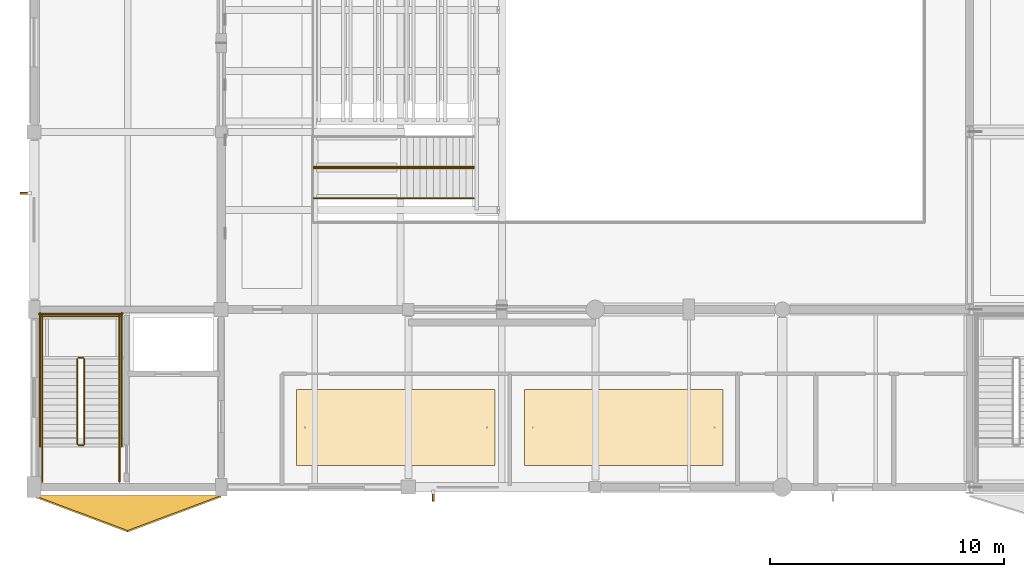
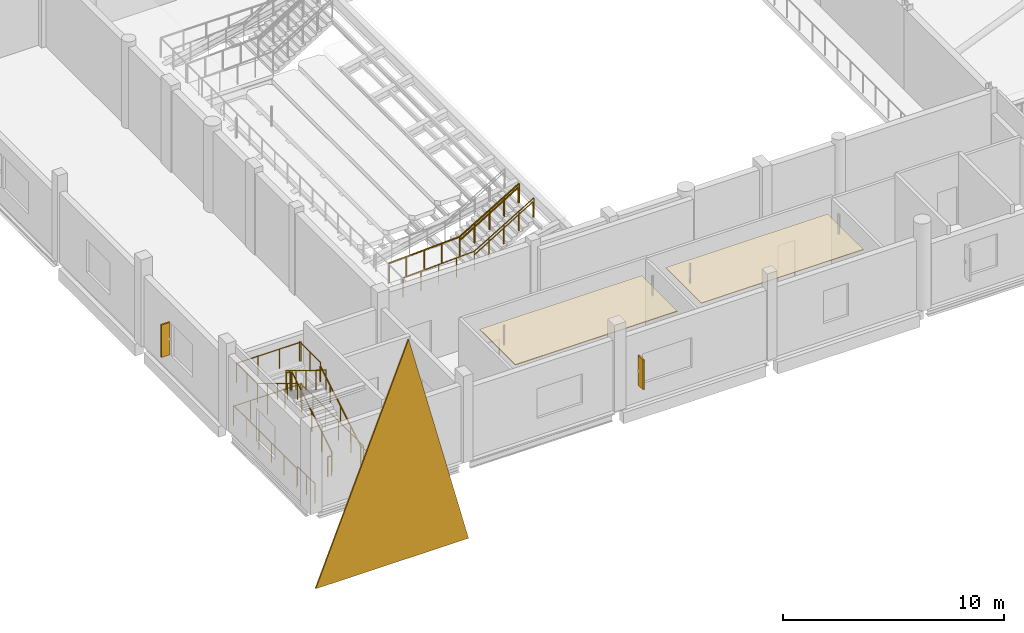
# One storey, part 127 of 147: 20 railings, 3 coverings, 2 shading devices.
"""IFC4 building model written with IfcOpenShell, lengths in metres."""

from ifc_helpers import new_model, si_unit, direction, frame, origin, origin_2d, place, context, subcontext, project, spatial, polyline, rectangle, circle, outline, extrude, material, layer, layer_set, type_object, element, save


model = new_model("IFC4")

# Units and contexts
model_context = context("Model", 3, precision=1e-05, world=origin(), true_north=direction((0.0, 1.0)))
body_context = subcontext(model_context, "Body", "Model", "MODEL_VIEW")
ifc_project = project(units=[si_unit("LENGTHUNIT", "METRE"), si_unit("AREAUNIT", "SQUARE_METRE"), si_unit("VOLUMEUNIT", "CUBIC_METRE"), si_unit("PLANEANGLEUNIT", "RADIAN"), si_unit("MASSUNIT", "GRAM", prefix="KILO")], contexts=[model_context])

# Site, building, storey
site_placement = place(None, origin())
site = spatial("IfcSite", under=ifc_project, at=site_placement, CompositionType="ELEMENT")
building_placement = place(site_placement, origin())
building = spatial("IfcBuilding", under=site, at=building_placement, Name="Khelvaren Railside Concert Hall", CompositionType="ELEMENT")
storey_placement = place(building_placement, frame((0.0, 0.0, 5.39990234375)))
storey = spatial("IfcBuildingStorey", under=building, at=storey_placement, Name="L01", CompositionType="ELEMENT", Elevation=5.39990234375)

# Coverings
ifc_material_1 = material(Name="Board-marked precast concrete C45/55", Category="concrete")
ifc_layer_1 = layer(ifc_material_1, 0.070068359375)
ifc_layer_set_1 = layer_set([ifc_layer_1], Name="Board-marked precast concrete C45/55")
covering_type_1 = type_object("IfcCoveringType", Name="CLD68", PredefinedType="CLADDING", material=ifc_layer_set_1)
covering_1_placement = place(storey_placement, frame((0.0, -0.35498046875, -4.199951171875), z_axis=(0.0, 0.993751900804, 0.111611646564), x_axis=(1.0, 0.0, 0.0)))
element("IfcCovering", 1, at=covering_1_placement, inside=storey, type_object=covering_type_1, Name="Main Hall Cut-Crystal Lower Facet S-1", PredefinedType="CLADDING", context=body_context, shape_type="SweptSolid", body=[
    extrude(outline(polyline([(0.0, 0.0), (8.0, 0.0), (4.0, -13.395709440134004), (0.0, 0.0)])), origin(), (0.0, 0.0, -1.0), 0.070068359375),
])
ifc_material_2 = material(Name="Mineral-wool acoustic baffle ceiling", Category="gypsum")
ifc_layer_2 = layer(ifc_material_2, 0.0400390625)
ifc_layer_set_2 = layer_set([ifc_layer_2], Name="Mineral-wool acoustic baffle ceiling")
covering_type_2 = type_object("IfcCoveringType", Name="CLG20", PredefinedType="CEILING", material=ifc_layer_set_2)
covering_2_placement = place(storey_placement, frame((0.0, 0.0, 3.41015625)))
element("IfcCovering", 2, at=covering_2_placement, inside=storey, type_object=covering_type_2, Name="Suspended Acoustic Ceiling First Balcony Champagne Lounge", PredefinedType="CEILING", context=body_context, shape_type="SweptSolid", body=[
    extrude(outline(polyline([(11.22998046875, 0.929931640625), (19.7119140625, 0.929931640625), (19.7119140625, 4.169921875), (11.22998046875, 4.169921875), (11.22998046875, 0.929931640625)])), origin(), (0.0, 0.0, 1.0), 0.0400390625),
])
ifc_material_3 = material(Name="Micro-perforated timber acoustic ceiling", Category="wood")
ifc_layer_3 = layer(ifc_material_3, 0.030029296875)
ifc_layer_set_3 = layer_set([ifc_layer_3], Name="Micro-perforated timber acoustic ceiling")
covering_type_3 = type_object("IfcCoveringType", Name="CLG77", PredefinedType="CEILING", material=ifc_layer_set_3)
covering_3_placement = place(storey_placement, frame((0.0, 0.0, 3.420166015625)))
element("IfcCovering", 3, at=covering_3_placement, inside=storey, type_object=covering_type_3, Name="Suspended Acoustic Ceiling Donor Reception Salon", PredefinedType="CEILING", context=body_context, shape_type="SweptSolid", body=[
    extrude(outline(polyline([(20.971923828125, 0.929931640625), (29.4541015625, 0.929931640625), (29.4541015625, 4.169921875), (20.971923828125, 4.169921875), (20.971923828125, 0.929931640625)])), origin(), (0.0, 0.0, 1.0), 0.030029296875),
])

# Railings
ifc_material_4 = material(Name="Painted architectural steel", Category="steel")
railing_type_1 = type_object("IfcRailingType", Name="GRD86", PredefinedType="GUARDRAIL", material=ifc_material_4)
railing_1_placement = place(storey_placement, frame((2.14990234375, 1.840087890625, 0.171630859375)))
element("IfcRailing", 4, at=railing_1_placement, inside=storey, type_object=railing_type_1, Name="L01 ST-01 stair guard 1", PredefinedType="GUARDRAIL", context=body_context, shape_type="SweptSolid", body=[
    extrude(circle(Radius=0.02392578125, at=origin_2d()), frame((0.0, 0.0, 1.076171875), z_axis=(0.0, 0.852850264322, 0.5221555579), x_axis=(-1.0, 0.0, 0.0)), (0.0, 0.0, 1.0), 4.267822265625),
    extrude(circle(Radius=0.02099609375, at=origin_2d()), origin(), (0.0, 0.0, 1.0), 1.052001953125),
    extrude(circle(Radius=0.02099609375, at=origin_2d()), frame((0.0, 0.909912109375, 0.55712890625)), (0.0, 0.0, 1.0), 1.052001953125),
    extrude(circle(Radius=0.02099609375, at=origin_2d()), frame((0.0, 1.81982421875, 1.1142578125)), (0.0, 0.0, 1.0), 1.052001953125),
    extrude(circle(Radius=0.02099609375, at=origin_2d()), frame((0.0, 2.72998046875, 1.67138671875)), (0.0, 0.0, 1.0), 1.052001953125),
    extrude(circle(Radius=0.02099609375, at=origin_2d()), frame((0.0, 3.639892578125, 2.228515625)), (0.0, 0.0, 1.0), 1.052001953125),
])
railing_2_placement = place(storey_placement, frame((2.10009765625, 5.530029296875, 2.400146484375)))
element("IfcRailing", 5, at=railing_2_placement, inside=storey, type_object=railing_type_1, Name="L01 ST-01 stair guard 2", PredefinedType="GUARDRAIL", context=body_context, shape_type="SweptSolid", body=[
    extrude(circle(Radius=0.02392578125, at=origin_2d()), frame((0.0, 0.0, 1.076171875), z_axis=(-1.0, 0.0, 0.0), x_axis=(0.0, -1.0, 0.0)), (0.0, 0.0, 1.0), 0.2001953125),
    extrude(circle(Radius=0.02099609375, at=origin_2d()), origin(), (0.0, 0.0, 1.0), 1.052001953125),
    extrude(circle(Radius=0.02099609375, at=origin_2d()), frame((-0.2001953125, 0.0, 0.0)), (0.0, 0.0, 1.0), 1.052001953125),
])
for number, where, name in (
    (6, (3.64990234375, 5.47998046875, 2.400146484375), "L01 ST-01 stair guard 3"),
    (7, (0.35009765625, 5.47998046875, 2.400146484375), "L01 ST-01 stair guard 4"),
):
    element("IfcRailing", number, at=place(storey_placement, frame(where)), inside=storey, type_object=railing_type_1, Name=name, PredefinedType="GUARDRAIL", context=body_context, shape_type="SweptSolid", body=[
        extrude(circle(Radius=0.02392578125, at=origin_2d()), frame((0.0, 0.0, 1.076171875), z_axis=(0.0, 1.0, 0.0), x_axis=(-1.0, 0.0, 0.0)), (0.0, 0.0, 1.0), 1.880126953125),
        extrude(circle(Radius=0.02099609375, at=origin_2d()), origin(), (0.0, 0.0, 1.0), 1.052001953125),
        extrude(circle(Radius=0.02099609375, at=origin_2d()), frame((0.0, 0.93994140625, 0.0)), (0.0, 0.0, 1.0), 1.052001953125),
        extrude(circle(Radius=0.02099609375, at=origin_2d()), frame((0.0, 1.880126953125, 0.0)), (0.0, 0.0, 1.0), 1.052001953125),
    ])
railing_3_placement = place(storey_placement, frame((3.699951171875, 7.31005859375, 2.400146484375)))
element("IfcRailing", 8, at=railing_3_placement, inside=storey, type_object=railing_type_1, Name="L01 ST-01 stair guard 5", PredefinedType="GUARDRAIL", context=body_context, shape_type="SweptSolid", body=[
    extrude(circle(Radius=0.02392578125, at=origin_2d()), frame((0.0, 0.0, 1.076171875), z_axis=(-1.0, 0.0, 0.0), x_axis=(0.0, -1.0, 0.0)), (0.0, 0.0, 1.0), 3.39990234375),
    extrude(circle(Radius=0.02099609375, at=origin_2d()), origin(), (0.0, 0.0, 1.0), 1.052001953125),
    extrude(circle(Radius=0.02099609375, at=origin_2d()), frame((-1.13330078125, 0.0, 0.0)), (0.0, 0.0, 1.0), 1.052001953125),
    extrude(circle(Radius=0.02099609375, at=origin_2d()), frame((-2.2666015625, 0.0, 0.0)), (0.0, 0.0, 1.0), 1.052001953125),
    extrude(circle(Radius=0.02099609375, at=origin_2d()), frame((-3.39990234375, 0.0, 0.0)), (0.0, 0.0, 1.0), 1.052001953125),
])
railing_4_placement = place(storey_placement, frame((1.85009765625, 5.47998046875, 2.571533203125)))
element("IfcRailing", 9, at=railing_4_placement, inside=storey, type_object=railing_type_1, Name="L01 ST-01 stair guard 6", PredefinedType="GUARDRAIL", context=body_context, shape_type="SweptSolid", body=[
    extrude(circle(Radius=0.02392578125, at=origin_2d()), frame((0.0, 0.0, 1.076171875), z_axis=(0.0, -0.852850264322, 0.5221555579), x_axis=(1.0, 0.0, 0.0)), (0.0, 0.0, 1.0), 4.267822265625),
    extrude(circle(Radius=0.02099609375, at=origin_2d()), origin(), (0.0, 0.0, 1.0), 1.052001953125),
    extrude(circle(Radius=0.02099609375, at=origin_2d()), frame((0.0, -0.909912109375, 0.55712890625)), (0.0, 0.0, 1.0), 1.052001953125),
    extrude(circle(Radius=0.02099609375, at=origin_2d()), frame((0.0, -1.81982421875, 1.1142578125)), (0.0, 0.0, 1.0), 1.052001953125),
    extrude(circle(Radius=0.02099609375, at=origin_2d()), frame((0.0, -2.72998046875, 1.67138671875)), (0.0, 0.0, 1.0), 1.052001953125),
    extrude(circle(Radius=0.02099609375, at=origin_2d()), frame((0.0, -3.639892578125, 2.228515625)), (0.0, 0.0, 1.0), 1.052001953125),
])
railing_5_placement = place(storey_placement, frame((2.10009765625, 1.7900390625, 0.0)))
element("IfcRailing", 10, at=railing_5_placement, inside=storey, type_object=railing_type_1, Name="L01 ST-01 stair guard 7", PredefinedType="GUARDRAIL", context=body_context, shape_type="SweptSolid", body=[
    extrude(circle(Radius=0.02392578125, at=origin_2d()), frame((0.0, 0.0, 1.076171875), z_axis=(-1.0, 0.0, 0.0), x_axis=(0.0, -1.0, 0.0)), (0.0, 0.0, 1.0), 0.2001953125),
    extrude(circle(Radius=0.02099609375, at=origin_2d()), origin(), (0.0, 0.0, 1.0), 1.052001953125),
    extrude(circle(Radius=0.02099609375, at=origin_2d()), frame((-0.2001953125, 0.0, 0.0)), (0.0, 0.0, 1.0), 1.052001953125),
])
for number, where, name in (
    (11, (3.64990234375, 0.239990234375, 0.0), "L01 ST-01 stair guard 8"),
    (12, (0.35009765625, 0.239990234375, 0.0), "L01 ST-01 stair guard 9"),
):
    element("IfcRailing", number, at=place(storey_placement, frame(where)), inside=storey, type_object=railing_type_1, Name=name, PredefinedType="GUARDRAIL", context=body_context, shape_type="SweptSolid", body=[
        extrude(circle(Radius=0.02392578125, at=origin_2d()), frame((0.0, 0.0, 1.076171875), z_axis=(0.0, 1.0, 0.0), x_axis=(-1.0, 0.0, 0.0)), (0.0, 0.0, 1.0), 1.60009765625),
        extrude(circle(Radius=0.02099609375, at=origin_2d()), origin(), (0.0, 0.0, 1.0), 1.052001953125),
        extrude(circle(Radius=0.02099609375, at=origin_2d()), frame((0.0, 0.800048828125, 0.0)), (0.0, 0.0, 1.0), 1.052001953125),
        extrude(circle(Radius=0.02099609375, at=origin_2d()), frame((0.0, 1.60009765625, 0.0)), (0.0, 0.0, 1.0), 1.052001953125),
    ])
for number, where, name in (
    (13, (3.75, 1.739990234375, 0.0), "L01 ST-01 stair guard 10"),
    (14, (0.25, 1.739990234375, 0.0), "L01 ST-01 stair guard 11"),
):
    element("IfcRailing", number, at=place(storey_placement, frame(where)), inside=storey, type_object=railing_type_1, Name=name, PredefinedType="GUARDRAIL", context=body_context, shape_type="SweptSolid", body=[
        extrude(circle(Radius=0.02392578125, at=origin_2d()), frame((0.0, 0.0, 1.076171875), z_axis=(0.0, 1.0, 0.0), x_axis=(-1.0, 0.0, 0.0)), (0.0, 0.0, 1.0), 5.719970703125),
        extrude(circle(Radius=0.02099609375, at=origin_2d()), origin(), (0.0, 0.0, 1.0), 1.052001953125),
        extrude(circle(Radius=0.02099609375, at=origin_2d()), frame((0.0, 1.14404296875, 0.0)), (0.0, 0.0, 1.0), 1.052001953125),
        extrude(circle(Radius=0.02099609375, at=origin_2d()), frame((0.0, 2.2880859375, 0.0)), (0.0, 0.0, 1.0), 1.052001953125),
        extrude(circle(Radius=0.02099609375, at=origin_2d()), frame((0.0, 3.431884765625, 0.0)), (0.0, 0.0, 1.0), 1.052001953125),
        extrude(circle(Radius=0.02099609375, at=origin_2d()), frame((0.0, 4.575927734375, 0.0)), (0.0, 0.0, 1.0), 1.052001953125),
        extrude(circle(Radius=0.02099609375, at=origin_2d()), frame((0.0, 5.719970703125, 0.0)), (0.0, 0.0, 1.0), 1.052001953125),
    ])
railing_6_placement = place(storey_placement, frame((3.800048828125, 7.409912109375, 0.0)))
element("IfcRailing", 15, at=railing_6_placement, inside=storey, type_object=railing_type_1, Name="L01 ST-01 stair guard 12", PredefinedType="GUARDRAIL", context=body_context, shape_type="SweptSolid", body=[
    extrude(circle(Radius=0.02392578125, at=origin_2d()), frame((0.0, 0.0, 1.076171875), z_axis=(-1.0, 0.0, 0.0), x_axis=(0.0, -1.0, 0.0)), (0.0, 0.0, 1.0), 3.60009765625),
    extrude(circle(Radius=0.02099609375, at=origin_2d()), origin(), (0.0, 0.0, 1.0), 1.052001953125),
    extrude(circle(Radius=0.02099609375, at=origin_2d()), frame((-0.89990234375, 0.0, 0.0)), (0.0, 0.0, 1.0), 1.052001953125),
    extrude(circle(Radius=0.02099609375, at=origin_2d()), frame((-1.800048828125, 0.0, 0.0)), (0.0, 0.0, 1.0), 1.052001953125),
    extrude(circle(Radius=0.02099609375, at=origin_2d()), frame((-2.7001953125, 0.0, 0.0)), (0.0, 0.0, 1.0), 1.052001953125),
    extrude(circle(Radius=0.02099609375, at=origin_2d()), frame((-3.60009765625, 0.0, 0.0)), (0.0, 0.0, 1.0), 1.052001953125),
])
for number, where, name in (
    (16, (11.949951171875, 12.35009765625, 0.0), "Vomitory Guardrail ST-17-L"),
    (17, (11.949951171875, 13.64990234375, 0.0), "Vomitory Guardrail ST-17-R"),
    (18, (11.949951171875, 13.699951171875, 0.0), "Vomitory Guardrail ST-18-L"),
):
    element("IfcRailing", number, at=place(storey_placement, frame(where)), inside=storey, type_object=railing_type_1, Name=name, PredefinedType="GUARDRAIL", context=body_context, shape_type="SweptSolid", body=[
        extrude(circle(Radius=0.02392578125, at=origin_2d()), frame((0.0, 0.0, 1.076171875), z_axis=(0.998955386328, 0.0, 0.045696128127), x_axis=(0.0, 1.0, 0.0)), (0.0, 0.0, 1.0), 3.723876953125),
        extrude(circle(Radius=0.02392578125, at=origin_2d()), frame((3.719970703125, 0.0, 1.24609375), z_axis=(0.858483901645, 0.0, 0.512840511871), x_axis=(0.0, 1.0, 0.0)), (0.0, 0.0, 1.0), 3.64599609375),
        extrude(circle(Radius=0.02099609375, at=origin_2d()), origin(), (0.0, 0.0, 1.0), 1.052001953125),
        extrude(circle(Radius=0.02099609375, at=origin_2d()), frame((0.929931640625, 0.0, 0.04248046875)), (0.0, 0.0, 1.0), 1.052001953125),
        extrude(circle(Radius=0.02099609375, at=origin_2d()), frame((1.85986328125, 0.0, 0.0849609375)), (0.0, 0.0, 1.0), 1.052001953125),
        extrude(circle(Radius=0.02099609375, at=origin_2d()), frame((2.7900390625, 0.0, 0.127685546875)), (0.0, 0.0, 1.0), 1.052001953125),
        extrude(circle(Radius=0.02099609375, at=origin_2d()), frame((3.719970703125, 0.0, 0.170166015625)), (0.0, 0.0, 1.0), 1.052001953125),
        extrude(circle(Radius=0.02099609375, at=origin_2d()), frame((4.50244140625, 0.0, 0.6376953125)), (0.0, 0.0, 1.0), 1.052001953125),
        extrude(circle(Radius=0.02099609375, at=origin_2d()), frame((5.28515625, 0.0, 1.10498046875)), (0.0, 0.0, 1.0), 1.052001953125),
        extrude(circle(Radius=0.02099609375, at=origin_2d()), frame((6.067626953125, 0.0, 1.572509765625)), (0.0, 0.0, 1.0), 1.052001953125),
        extrude(circle(Radius=0.02099609375, at=origin_2d()), frame((6.85009765625, 0.0, 2.0400390625)), (0.0, 0.0, 1.0), 1.052001953125),
    ])
ifc_material_5 = material(Name="Brushed stainless steel Grade 316", Category="steel")
railing_type_2 = type_object("IfcRailingType", Name="HRL59", PredefinedType="HANDRAIL", material=ifc_material_5)
railing_7_placement = place(storey_placement, frame((3.64990234375, 1.840087890625, 0.171630859375)))
element("IfcRailing", 19, at=railing_7_placement, inside=storey, type_object=railing_type_2, Name="L01 ST-01 stair handrail 1", PredefinedType="HANDRAIL", context=body_context, shape_type="SweptSolid", body=[
    extrude(circle(Radius=0.02392578125, at=origin_2d()), frame((0.0, 0.0, 0.8759765625), z_axis=(0.0, 0.852850264322, 0.5221555579), x_axis=(-1.0, 0.0, 0.0)), (0.0, 0.0, 1.0), 4.267822265625),
    extrude(circle(Radius=0.02099609375, at=origin_2d()), origin(), (0.0, 0.0, 1.0), 0.851806640625),
    extrude(circle(Radius=0.02099609375, at=origin_2d()), frame((0.0, 0.909912109375, 0.55712890625)), (0.0, 0.0, 1.0), 0.851806640625),
    extrude(circle(Radius=0.02099609375, at=origin_2d()), frame((0.0, 1.81982421875, 1.1142578125)), (0.0, 0.0, 1.0), 0.851806640625),
    extrude(circle(Radius=0.02099609375, at=origin_2d()), frame((0.0, 2.72998046875, 1.67138671875)), (0.0, 0.0, 1.0), 0.851806640625),
    extrude(circle(Radius=0.02099609375, at=origin_2d()), frame((0.0, 3.639892578125, 2.228515625)), (0.0, 0.0, 1.0), 0.851806640625),
])
railing_8_placement = place(storey_placement, frame((0.35009765625, 5.47998046875, 2.571533203125)))
element("IfcRailing", 20, at=railing_8_placement, inside=storey, type_object=railing_type_2, Name="L01 ST-01 stair handrail 2", PredefinedType="HANDRAIL", context=body_context, shape_type="SweptSolid", body=[
    extrude(circle(Radius=0.02392578125, at=origin_2d()), frame((0.0, 0.0, 0.8759765625), z_axis=(0.0, -0.852850264322, 0.5221555579), x_axis=(1.0, 0.0, 0.0)), (0.0, 0.0, 1.0), 4.267822265625),
    extrude(circle(Radius=0.02099609375, at=origin_2d()), origin(), (0.0, 0.0, 1.0), 0.851806640625),
    extrude(circle(Radius=0.02099609375, at=origin_2d()), frame((0.0, -0.909912109375, 0.55712890625)), (0.0, 0.0, 1.0), 0.851806640625),
    extrude(circle(Radius=0.02099609375, at=origin_2d()), frame((0.0, -1.81982421875, 1.1142578125)), (0.0, 0.0, 1.0), 0.851806640625),
    extrude(circle(Radius=0.02099609375, at=origin_2d()), frame((0.0, -2.72998046875, 1.67138671875)), (0.0, 0.0, 1.0), 0.851806640625),
    extrude(circle(Radius=0.02099609375, at=origin_2d()), frame((0.0, -3.639892578125, 2.228515625)), (0.0, 0.0, 1.0), 0.851806640625),
])
for number, where, name in (
    (21, (15.669921875, 12.35009765625, 0.170166015625), "Vomitory Pitch Handrail ST-17-L"),
    (22, (15.669921875, 13.64990234375, 0.170166015625), "Vomitory Pitch Handrail ST-17-R"),
    (23, (15.669921875, 13.699951171875, 0.170166015625), "Vomitory Pitch Handrail ST-18-L"),
):
    element("IfcRailing", number, at=place(storey_placement, frame(where)), inside=storey, type_object=railing_type_2, Name=name, PredefinedType="HANDRAIL", context=body_context, shape_type="SweptSolid", body=[
        extrude(circle(Radius=0.02392578125, at=origin_2d()), frame((0.0, 0.0, 0.8759765625), z_axis=(0.854808984221, 0.0, 0.518942771889), x_axis=(0.0, 1.0, 0.0)), (0.0, 0.0, 1.0), 3.603271484375),
        extrude(circle(Radius=0.02099609375, at=origin_2d()), origin(), (0.0, 0.0, 1.0), 0.851806640625),
        extrude(circle(Radius=0.02099609375, at=origin_2d()), frame((0.77001953125, 0.0, 0.467529296875)), (0.0, 0.0, 1.0), 0.851806640625),
        extrude(circle(Radius=0.02099609375, at=origin_2d()), frame((1.5400390625, 0.0, 0.93505859375)), (0.0, 0.0, 1.0), 0.851806640625),
        extrude(circle(Radius=0.02099609375, at=origin_2d()), frame((2.31005859375, 0.0, 1.40234375)), (0.0, 0.0, 1.0), 0.851806640625),
        extrude(circle(Radius=0.02099609375, at=origin_2d()), frame((3.080078125, 0.0, 1.869873046875)), (0.0, 0.0, 1.0), 0.851806640625),
    ])

# Shading devices
ifc_material_6 = material(Name="Anodised bronze aluminium 6063-T6", Category="aluminium")
shading_device_type = type_object("IfcShadingDeviceType", Name="SFN18", PredefinedType="USERDEFINED", material=ifc_material_6)
shading_device_1_placement = place(storey_placement, frame((17.06591796875, -0.3798828125, 0.9501953125), z_axis=(0.0, 0.0, 1.0), x_axis=(-1.0, 0.0, 0.0)))
element("IfcShadingDevice", 24, at=shading_device_1_placement, inside=storey, type_object=shading_device_type, Name="Bronze Solar Shading Fin EW-V1-L01-S-16", ObjectType="SOLAR FIN", PredefinedType="USERDEFINED", context=body_context, shape_type="SweptSolid", body=[
    extrude(rectangle(XDim=0.080078125, YDim=0.449951171875, at=origin_2d()), origin(), (0.0, 0.0, 1.0), 1.64990234375),
])
shading_device_2_placement = place(storey_placement, frame((-0.3798828125, 12.5673828125, 0.9501953125), z_axis=(0.0, 0.0, 1.0), x_axis=(0.0, 1.0, 0.0)))
element("IfcShadingDevice", 25, at=shading_device_2_placement, inside=storey, type_object=shading_device_type, Name="Bronze Solar Shading Fin EW-V1-L01-W-8", ObjectType="SOLAR FIN", PredefinedType="USERDEFINED", context=body_context, shape_type="SweptSolid", body=[
    extrude(rectangle(XDim=0.080078125, YDim=0.449951171875, at=origin_2d()), origin(), (0.0, 0.0, 1.0), 1.800048828125),
])

save(model, "model.ifc")
